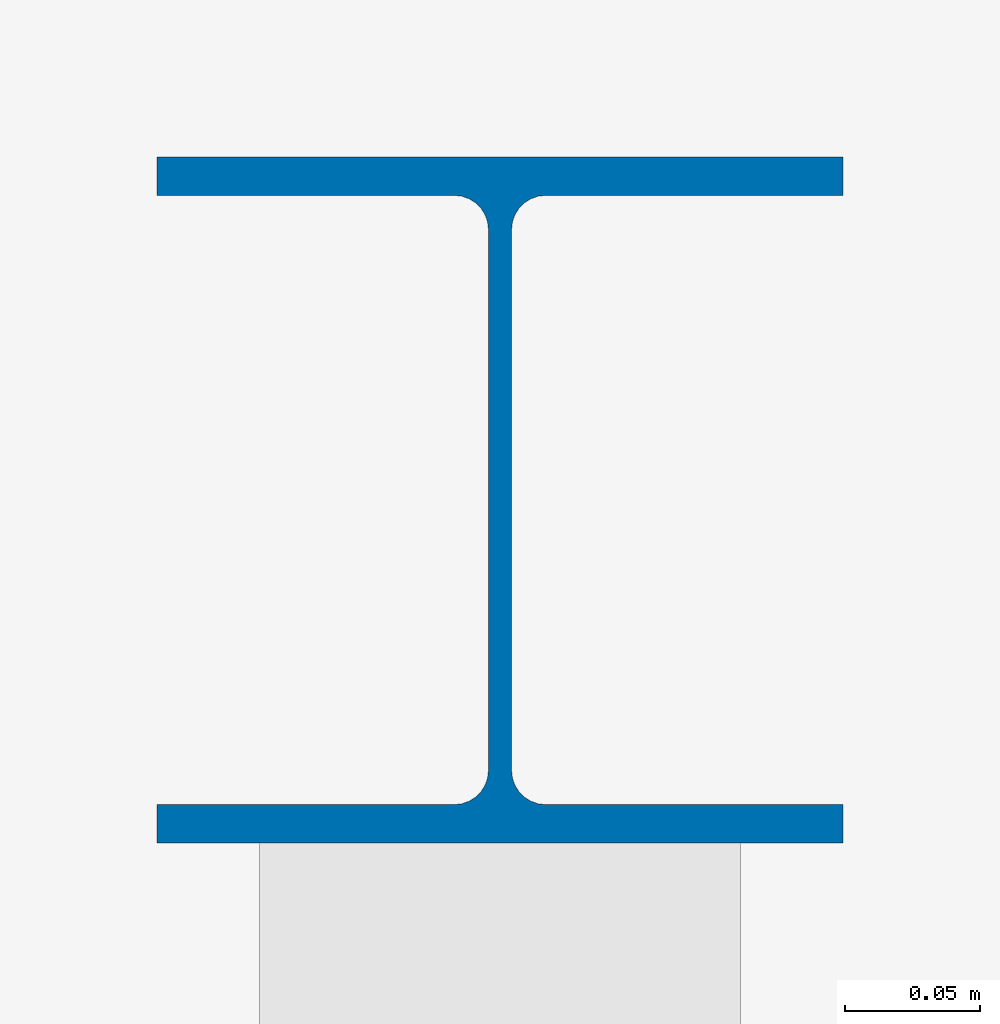
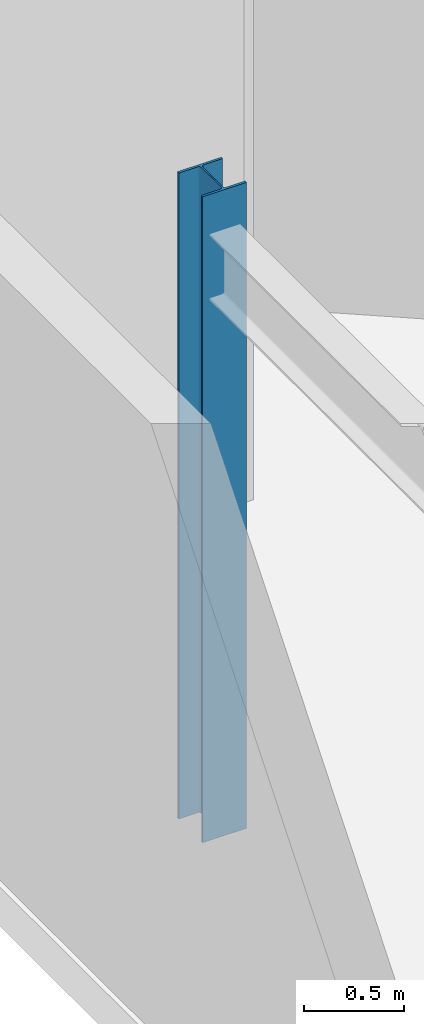
# One storey, part 4 of 15: 1 column.
"""IFC4 building model written with IfcOpenShell, lengths in metres."""

from ifc_helpers import new_model, si_unit, direction, frame, origin, origin_2d, place, context, subcontext, project, spatial, i_section, extrude, material, material_profile, profile_set, type_object, element, save


model = new_model("IFC4")

# Units and contexts
model_context = context("Model", 3, precision=1e-05, world=origin(), true_north=direction((0.0, 1.0)))
body_context = subcontext(model_context, "Body", "Model", "MODEL_VIEW")
ifc_project = project(units=[si_unit("LENGTHUNIT", "METRE"), si_unit("AREAUNIT", "SQUARE_METRE"), si_unit("VOLUMEUNIT", "CUBIC_METRE"), si_unit("PLANEANGLEUNIT", "RADIAN"), si_unit("MASSUNIT", "GRAM", prefix="KILO")], contexts=[model_context])

# Site, building, storey
site_placement = place(None, origin())
site = spatial("IfcSite", under=ifc_project, at=site_placement, CompositionType="ELEMENT")
building_placement = place(site_placement, origin())
building = spatial("IfcBuilding", under=site, at=building_placement, Name="Varnakote Quay Hospital", CompositionType="ELEMENT")
storey_placement = place(building_placement, frame((0.0, 0.0, 244.699951171875)))
storey = spatial("IfcBuildingStorey", under=building, at=storey_placement, Name="L60", CompositionType="ELEMENT", Elevation=244.699951171875)

# Column
ifc_material = material(Name="Structural steel AS/NZS 3679.1 Grade 350 L0 (fy 340 MPa)", Category="steel")
ifc_material_profile = material_profile(ifc_material, i_section(OverallWidth=0.25390625, OverallDepth=0.25390625, WebThickness=0.008544921875, FlangeThickness=0.01416015625, FilletRadius=0.0126953125, at=origin_2d()), Name="250UC72.9")
ifc_profile_set = profile_set([ifc_material_profile], Name="Structural steel AS/NZS 3679.1 Grade 350 L0 (fy 340 MPa)")
column_type = type_object("IfcColumnType", Name="COL-STL-250UC72-9", PredefinedType="COLUMN", material=ifc_profile_set)
column_placement = place(storey_placement, frame((1.199951171875, 37.199951171875, 0.0), z_axis=(0.0, 0.0, 1.0), x_axis=(1.0, 0.0, 0.0)))
element("IfcColumn", 1, at=column_placement, inside=storey, type_object=column_type, Name="L60 Structural Column C-1-37", PredefinedType="COLUMN", context=body_context, shape_type="SweptSolid", body=[
    extrude(i_section(OverallWidth=0.25390625, OverallDepth=0.25390625, WebThickness=0.008544921875, FlangeThickness=0.01416015625, FilletRadius=0.0126953125, at=origin_2d()), origin(), (0.0, 0.0, 1.0), 3.949951171875),
])

save(model, "model.ifc")
